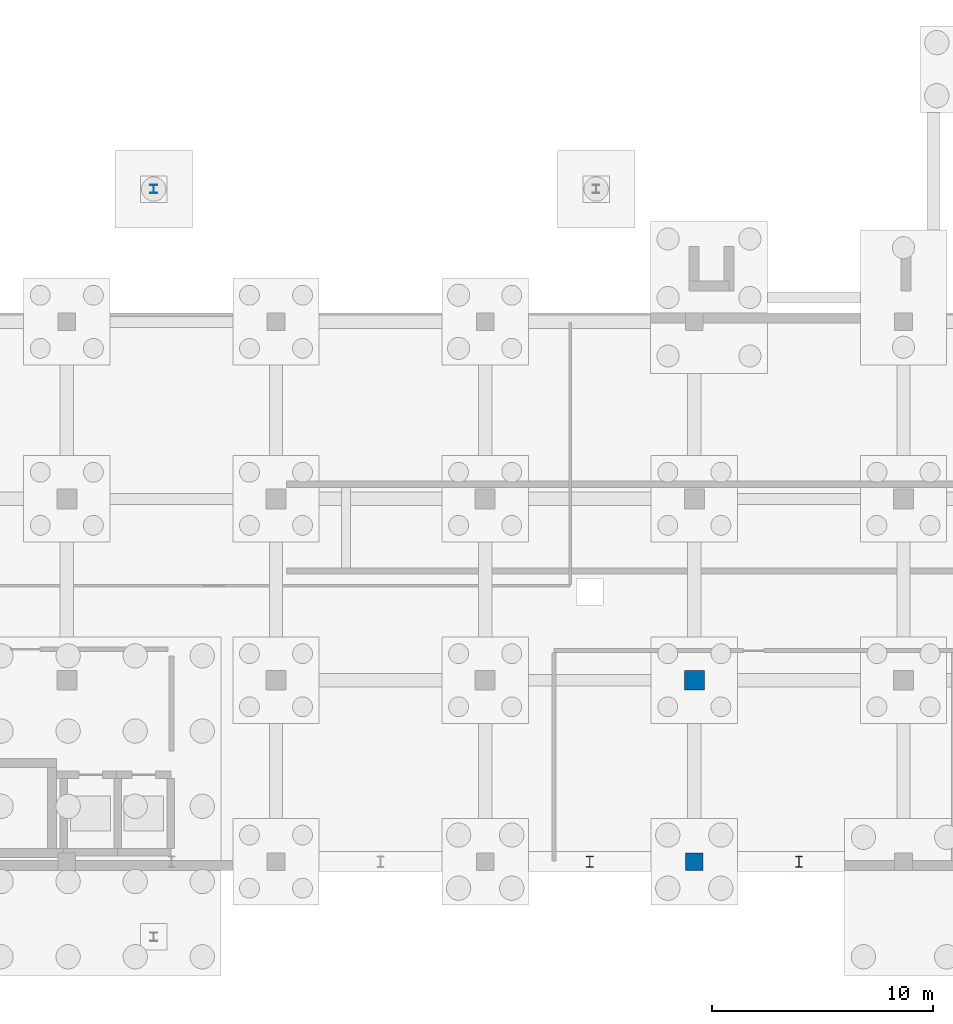
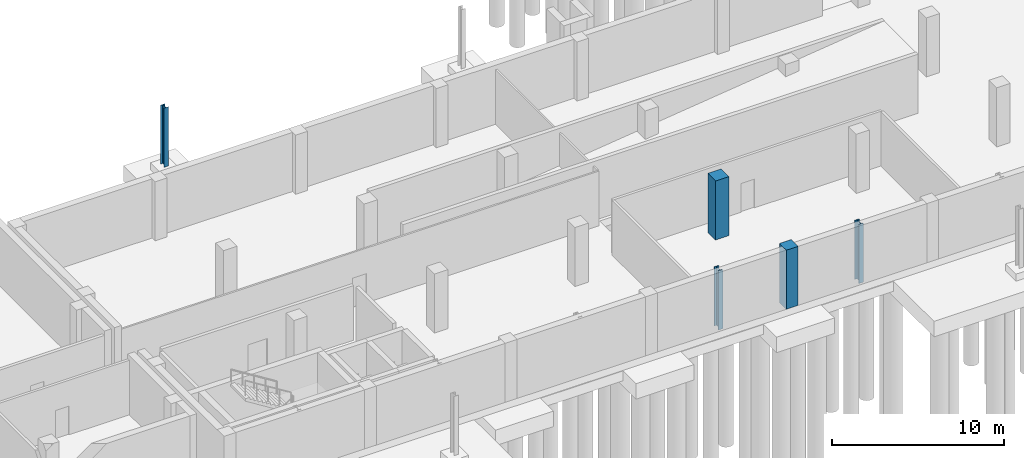
# One storey, part 10 of 31: 5 columns.
"""IFC4 building model written with IfcOpenShell, lengths in metres."""

from ifc_helpers import new_model, si_unit, direction, frame, origin, origin_2d, place, context, subcontext, project, spatial, rectangle, i_section, extrude, material, material_profile, profile_set, type_object, element, save


model = new_model("IFC4")

# Units and contexts
model_context = context("Model", 3, precision=1e-05, world=origin(), true_north=direction((0.0, 1.0)))
body_context = subcontext(model_context, "Body", "Model", "MODEL_VIEW")
ifc_project = project(units=[si_unit("LENGTHUNIT", "METRE"), si_unit("AREAUNIT", "SQUARE_METRE"), si_unit("VOLUMEUNIT", "CUBIC_METRE"), si_unit("PLANEANGLEUNIT", "RADIAN"), si_unit("MASSUNIT", "GRAM", prefix="KILO")], contexts=[model_context])

# Site, building, storey
site_placement = place(None, origin())
site = spatial("IfcSite", under=ifc_project, at=site_placement, CompositionType="ELEMENT")
building_placement = place(site_placement, origin())
building = spatial("IfcBuilding", under=site, at=building_placement, Name="Qalavern Law Courts", CompositionType="ELEMENT")
storey_placement = place(building_placement, frame((0.0, 0.0, -8.39990234375)))
storey = spatial("IfcBuildingStorey", under=building, at=storey_placement, Name="B2", CompositionType="ELEMENT", Elevation=-8.39990234375)

# Columns
ifc_material_1 = material(Name="Steel S355", Category="steel")
ifc_material_profile_1 = material_profile(ifc_material_1, i_section(OverallWidth=0.300048828125, OverallDepth=0.389892578125, WebThickness=0.010986328125, FlangeThickness=0.01904296875, FilletRadius=0.027099609375, at=origin_2d()), Name="HEA 400")
ifc_profile_set_1 = profile_set([ifc_material_profile_1], Name="Steel S355")
column_type_1 = type_object("IfcColumnType", Name="STR-COL-HEA400", PredefinedType="COLUMN", material=ifc_profile_set_1)
column_1_placement = place(storey_placement, frame((48.0, 36.0, 0.0), z_axis=(0.0, 0.0, 1.0), x_axis=(1.0, 0.0, 0.0)))
element("IfcColumn", 1, at=column_1_placement, inside=storey, type_object=column_type_1, Name="Plaza apron substructure column 06 B2", PredefinedType="COLUMN", context=body_context, shape_type="SweptSolid", body=[
    extrude(i_section(OverallWidth=0.300048828125, OverallDepth=0.389892578125, WebThickness=0.010986328125, FlangeThickness=0.01904296875, FilletRadius=0.027099609375, at=origin_2d()), origin(), (0.0, 0.0, 1.0), 4.199951171875),
])
ifc_material_profile_2 = material_profile(ifc_material_1, i_section(OverallWidth=0.300048828125, OverallDepth=0.5, WebThickness=0.014404296875, FlangeThickness=0.028076171875, FilletRadius=0.027099609375, at=origin_2d()), Name="HEB 500")
ifc_profile_set_2 = profile_set([ifc_material_profile_2], Name="Steel S355")
column_type_2 = type_object("IfcColumnType", Name="STR-COL-HEB500", PredefinedType="COLUMN", material=ifc_profile_set_2)
for number, where, z_axis, x_axis, name in (
    (2, (67.7099609375, 5.60009765625, 0.0), (0.0, 0.0, 1.0), (1.0, 0.0, 0.0), "Civic colonnade pilaster 04 B2"),
    (3, (77.1640625, 5.60009765625, 0.0), (0.0, 0.0, 1.0), (1.0, 0.0, 0.0), "Civic colonnade pilaster 05 B2"),
):
    element("IfcColumn", number, at=place(storey_placement, frame(where, z_axis=z_axis, x_axis=x_axis)), inside=storey, type_object=column_type_2, Name=name, PredefinedType="COLUMN", context=body_context, shape_type="SweptSolid", body=[
        extrude(i_section(OverallWidth=0.300048828125, OverallDepth=0.5, WebThickness=0.014404296875, FlangeThickness=0.028076171875, FilletRadius=0.027099609375, at=origin_2d()), origin(), (0.0, 0.0, 1.0), 4.199951171875),
    ])
ifc_material_2 = material(Name="Concrete C45/55", Category="concrete")
ifc_material_profile_3 = material_profile(ifc_material_2, rectangle(XDim=0.800048828125, YDim=0.800048828125, at=origin_2d()), Name="RC 800x800")
ifc_profile_set_3 = profile_set([ifc_material_profile_3], Name="Concrete C45/55")
column_type_3 = type_object("IfcColumnType", Name="STR-COL-RC800E", PredefinedType="COLUMN", material=ifc_profile_set_3)
column_2_placement = place(storey_placement, frame((72.43701171875, 5.60009765625, 0.0), z_axis=(0.0, 0.0, 1.0), x_axis=(1.0, 0.0, 0.0)))
element("IfcColumn", 4, at=column_2_placement, inside=storey, type_object=column_type_3, Name="V2 column 5-1 B2", PredefinedType="COLUMN", context=body_context, shape_type="SweptSolid", body=[
    extrude(rectangle(XDim=0.800048828125, YDim=0.800048828125, at=origin_2d()), origin(), (0.0, 0.0, 1.0), 4.199951171875),
])
ifc_material_profile_4 = material_profile(ifc_material_2, rectangle(XDim=0.89990234375, YDim=0.89990234375, at=origin_2d()), Name="RC 900x900")
ifc_profile_set_4 = profile_set([ifc_material_profile_4], Name="Concrete C45/55")
column_type_4 = type_object("IfcColumnType", Name="STR-COL-RC900", PredefinedType="COLUMN", material=ifc_profile_set_4)
column_3_placement = place(storey_placement, frame((72.43701171875, 13.800048828125, 0.0), z_axis=(0.0, 0.0, 1.0), x_axis=(1.0, 0.0, 0.0)))
element("IfcColumn", 5, at=column_3_placement, inside=storey, type_object=column_type_4, Name="V2 column 5-2 B2", PredefinedType="COLUMN", context=body_context, shape_type="SweptSolid", body=[
    extrude(rectangle(XDim=0.89990234375, YDim=0.89990234375, at=origin_2d()), origin(), (0.0, 0.0, 1.0), 4.199951171875),
])

save(model, "model.ifc")
